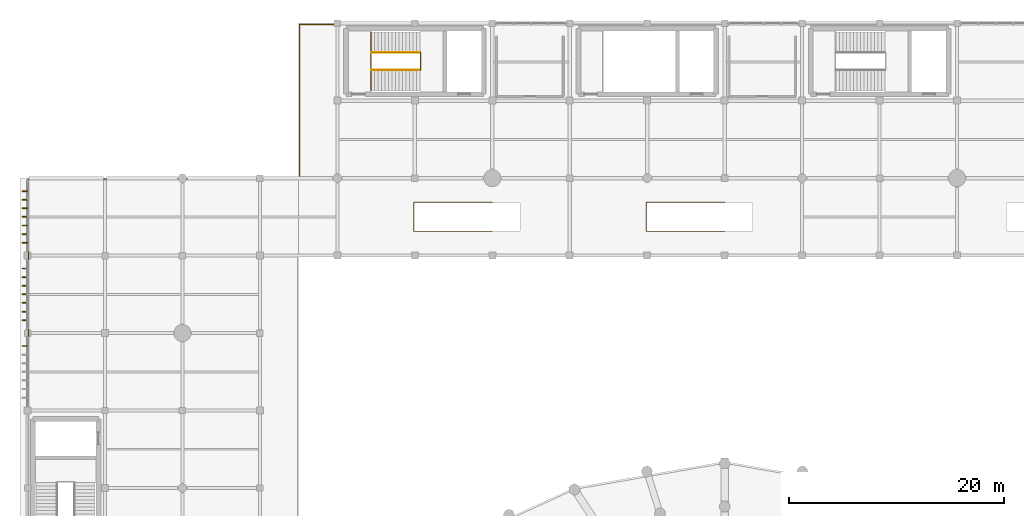
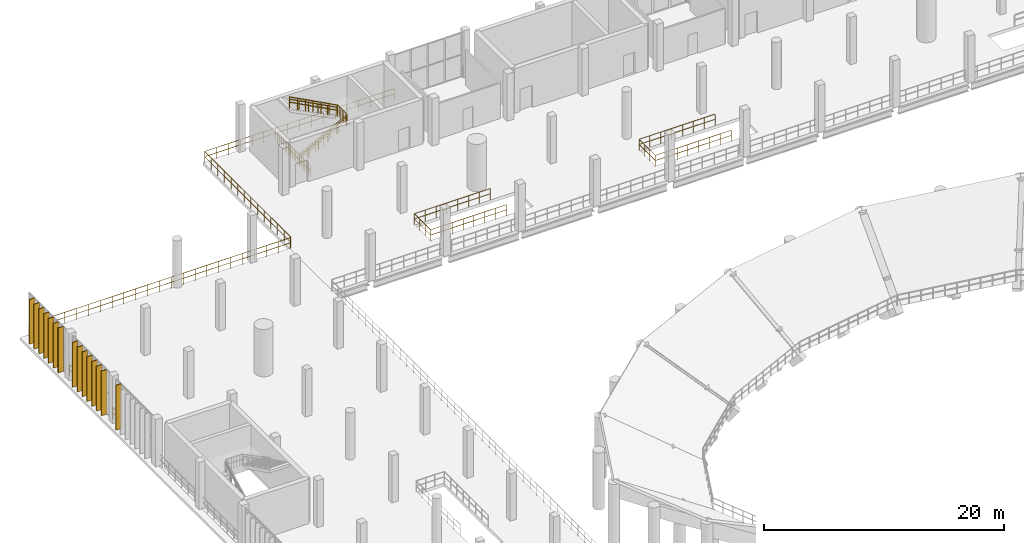
# One storey, part 99 of 105: 15 coverings, 11 railings.
"""IFC4 building model written with IfcOpenShell, lengths in metres."""

import ifcopenshell
import ifcopenshell.guid

model = None  # the IFC model being written
_history = None  # IfcOwnerHistory: only IFC2X3 demands one
_inside = {}  # id of a spatial element -> (the spatial element, [elements in it])
_under = {}  # id of a project, library or spatial element -> (it, [spatial elements below it])
_declared = {}  # id of a project -> (the project, [libraries it declares])
_typed = {}  # id of a type object -> (the type object, [elements of that type])
_made_of = {}  # id of a material, layer set ... -> (it, [elements and type objects made of it])


def new_model(schema):
    """Start an empty IFC model of exactly this schema.

    Asked for "IFC4X3", IfcOpenShell would pick the latest addendum, in which some entities
    have other attributes; the version numbers below select the first issue.
    IFC2X3 requires an IfcOwnerHistory on every rooted entity: one is made here for all.
    """
    global model, _history
    if schema == "IFC4X3":
        model = ifcopenshell.file(schema_version=(4, 3, 0, 0))
    else:
        model = ifcopenshell.file(schema=schema)
    _inside.clear()
    _under.clear()
    _declared.clear()
    _typed.clear()
    _made_of.clear()
    _history = None
    if model.schema == "IFC2X3":
        org = make("IfcOrganization", Name="unknown")
        user = make(
            "IfcPersonAndOrganization",
            ThePerson=make("IfcPerson", FamilyName="unknown"),
            TheOrganization=org,
        )
        app = make(
            "IfcApplication",
            ApplicationDeveloper=org,
            Version="unknown",
            ApplicationFullName="unknown",
            ApplicationIdentifier="unknown",
        )
        _history = make(
            "IfcOwnerHistory",
            OwningUser=user,
            OwningApplication=app,
            ChangeAction="ADDED",
            CreationDate=0,
        )
    return model


def make(cls, **values):
    """One entity of the class cls with the attributes given. An attribute that is None is left unset."""
    return model.create_entity(
        cls, **{name: value for name, value in values.items() if value is not None}
    )


def rooted(cls, **values):
    """An entity with a GlobalId (a new one), such as an element, a storey or a relation."""
    return make(cls, GlobalId=ifcopenshell.guid.new(), OwnerHistory=_history, **values)


def si_unit(unit_type, name, prefix=None):
    """IfcSIUnit, for example si_unit("LENGTHUNIT", "METRE", prefix="MILLI")."""
    return make("IfcSIUnit", UnitType=unit_type, Prefix=prefix, Name=name)


def assignment(units):
    """IfcUnitAssignment: the units of a project."""
    return None if units is None else make("IfcUnitAssignment", Units=units)


def point(xyz):
    """IfcCartesianPoint."""
    return None if xyz is None else make("IfcCartesianPoint", Coordinates=xyz)


def direction(xyz):
    """IfcDirection."""
    return None if xyz is None else make("IfcDirection", DirectionRatios=xyz)


def frame(location, z_axis=None, x_axis=None):
    """IfcAxis2Placement3D, a coordinate frame: its origin and axes. An axis left out is left unset."""
    return make(
        "IfcAxis2Placement3D",
        Location=point(location),
        Axis=direction(z_axis),
        RefDirection=direction(x_axis),
    )


def frame_2d(location, x_axis=None):
    """IfcAxis2Placement2D, a coordinate frame in the plane: its origin and x axis."""
    return make(
        "IfcAxis2Placement2D", Location=point(location), RefDirection=direction(x_axis)
    )


def origin():
    """The frame at (0, 0, 0) with its axes left unset."""
    return frame((0.0, 0.0, 0.0))


def origin_2d():
    """The frame at (0, 0) in the plane with its x axis left unset."""
    return frame_2d((0.0, 0.0))


def place(relative_to, where):
    """IfcLocalPlacement: puts the frame where relative to a parent placement (None: the world)."""
    return make(
        "IfcLocalPlacement", PlacementRelTo=relative_to, RelativePlacement=where
    )


def context(
    kind, dimensions, precision=None, world=None, true_north=None, identifier=None
):
    """IfcGeometricRepresentationContext, for example the 3D "Model" context."""
    return make(
        "IfcGeometricRepresentationContext",
        ContextIdentifier=identifier,
        ContextType=kind,
        CoordinateSpaceDimension=dimensions,
        Precision=precision,
        WorldCoordinateSystem=world,
        TrueNorth=true_north,
    )


def subcontext(parent, identifier, kind, view, scale=None):
    """IfcGeometricRepresentationSubContext, for example "Body" below "Model"."""
    return make(
        "IfcGeometricRepresentationSubContext",
        ContextIdentifier=identifier,
        ContextType=kind,
        ParentContext=parent,
        TargetScale=scale,
        TargetView=view,
    )


def project(units=None, contexts=None):
    """IfcProject with its units and contexts."""
    return rooted(
        "IfcProject",
        Name="project",
        RepresentationContexts=contexts,
        UnitsInContext=assignment(units),
    )


def spatial(cls, under=None, at=None, **own):
    """A site, building, storey or space (cls), placed at a placement, below another one or the project."""
    s = rooted(cls, ObjectPlacement=at, **own)
    if under is not None:
        _under.setdefault(under.id(), (under, []))[1].append(s)
    return s


def profile(cls, at=None, kind="AREA", **sizes):
    """A parametric profile (cls). Its sizes go by their IFC names, for example OverallWidth=200.0."""
    return make(cls, ProfileType=kind, Position=at, **sizes)


def rectangle(**sizes):
    """IfcRectangleProfileDef."""
    return profile("IfcRectangleProfileDef", **sizes)


def circle(**sizes):
    """IfcCircleProfileDef."""
    return profile("IfcCircleProfileDef", **sizes)


def extrude(swept, where, along, depth):
    """IfcExtrudedAreaSolid: the profile swept, set in the frame where, extruded along a direction by depth."""
    return make(
        "IfcExtrudedAreaSolid",
        SweptArea=swept,
        Position=where,
        ExtrudedDirection=direction(along),
        Depth=depth,
    )


def shape(context_of_items, identifier, shape_type, items):
    """IfcShapeRepresentation: the items that make up one representation, for example the "Body"."""
    return make(
        "IfcShapeRepresentation",
        ContextOfItems=context_of_items,
        RepresentationIdentifier=identifier,
        RepresentationType=shape_type,
        Items=items,
    )


def material(Name=None, Category=None):
    """IfcMaterial."""
    return make("IfcMaterial", Name=Name, Category=Category)


def layer(
    of_material, thickness, ventilated=None, Name=None, Category=None, Priority=None
):
    """IfcMaterialLayer: one layer of a wall or slab, of a material (None: an air gap)."""
    return make(
        "IfcMaterialLayer",
        Material=of_material,
        LayerThickness=thickness,
        IsVentilated=ventilated,
        Name=Name,
        Category=Category,
        Priority=Priority,
    )


def layer_set(layers, Name=None):
    """IfcMaterialLayerSet."""
    return make("IfcMaterialLayerSet", MaterialLayers=layers, LayerSetName=Name)


def made_of(thing, what):
    """Note that an element or type object is made of a material, layer set ...; save() writes the relation."""
    if what is not None:
        _made_of.setdefault(what.id(), (what, []))[1].append(thing)
    return thing


def type_object(cls, material=None, **own):
    """A type object (cls), such as IfcWallType, which elements share."""
    return made_of(rooted(cls, **own), material)


def element(
    cls,
    number,
    at=None,
    inside=None,
    cuts=None,
    type_object=None,
    material=None,
    context=None,
    identifier="Body",
    shape_type=None,
    held_by="IfcProductDefinitionShape",
    body=None,
    shapes=None,
    **own,
):
    """One element of the class cls, such as IfcWall. Its Tag is "e" and its number.

    at: its placement. inside: the storey or other place that contains it. cuts: it is an
    opening in that element (IfcRelVoidsElement). A single representation is given by context,
    identifier, shape_type and body (its items); several are given by shapes. held_by: the class
    of the entity that holds the representations. save() writes the other relations.
    """
    e = rooted(cls, Tag="e%d" % number, ObjectPlacement=at, **own)
    if body is not None:
        shapes = [shape(context, identifier, shape_type, body)]
    if shapes is not None:
        e.Representation = make(held_by, Representations=shapes)
    if inside is not None:
        _inside.setdefault(inside.id(), (inside, []))[1].append(e)
    if cuts is not None:
        rooted(
            "IfcRelVoidsElement", RelatingBuildingElement=cuts, RelatedOpeningElement=e
        )
    if type_object is not None:
        _typed.setdefault(type_object.id(), (type_object, []))[1].append(e)
    return made_of(e, material)


def aggregate(whole, parts):
    """IfcRelAggregates: a whole, such as a stair, and the parts it consists of."""
    return rooted("IfcRelAggregates", RelatingObject=whole, RelatedObjects=parts)


def save(model, path):
    """Write the relations noted so far, then the file.

    IfcRelAggregates (storeys below a building ...), IfcRelContainedInSpatialStructure (elements
    in a storey), IfcRelDefinesByType, IfcRelAssociatesMaterial and IfcRelDeclares: one each for
    every whole, place, type object, material and project.
    """
    for whole, parts in _under.values():
        aggregate(whole, parts)
    for where, things in _inside.values():
        rooted(
            "IfcRelContainedInSpatialStructure",
            RelatedElements=things,
            RelatingStructure=where,
        )
    for kind, things in _typed.values():
        rooted("IfcRelDefinesByType", RelatedObjects=things, RelatingType=kind)
    for what, things in _made_of.values():
        rooted("IfcRelAssociatesMaterial", RelatedObjects=things, RelatingMaterial=what)
    for by, libraries in _declared.values():
        rooted("IfcRelDeclares", RelatingContext=by, RelatedDefinitions=libraries)
    model.write(path)


model = new_model("IFC4")

# Units and contexts
model_context = context("Model", 3, precision=1e-05, world=origin(), true_north=direction((0.0, 1.0)))
body_context = subcontext(model_context, "Body", "Model", "MODEL_VIEW")
ifc_project = project(units=[si_unit("LENGTHUNIT", "METRE"), si_unit("AREAUNIT", "SQUARE_METRE"), si_unit("VOLUMEUNIT", "CUBIC_METRE"), si_unit("PLANEANGLEUNIT", "RADIAN"), si_unit("MASSUNIT", "GRAM", prefix="KILO")], contexts=[model_context])

# Site, building, storey
site_placement = place(None, origin())
site = spatial("IfcSite", under=ifc_project, at=site_placement, CompositionType="ELEMENT")
building_placement = place(site_placement, origin())
building = spatial("IfcBuilding", under=site, at=building_placement, Name="Qandorah Velis Arena", CompositionType="ELEMENT")
storey_placement = place(building_placement, frame((0.0, 0.0, 13.800048828125)))
storey = spatial("IfcBuildingStorey", under=building, at=storey_placement, Name="L03", CompositionType="ELEMENT", Elevation=13.800048828125)

# Coverings
ifc_material_1 = material(Name="Champagne-bronze anodized aluminium 6063-T6", Category="aluminium")
ifc_layer = layer(ifc_material_1, 0.0849609375)
ifc_layer_set = layer_set([ifc_layer], Name="Champagne-bronze anodized aluminium 6063-T6")
covering_type = type_object("IfcCoveringType", Name="ARC-COV-FIN520", PredefinedType="CLADDING", material=ifc_layer_set)
for number, where, z_axis, x_axis, name in (
    (1, (-0.251953125, 99.60009765625, -0.01025390625), (0.0, 0.0, 1.0), (1.0, 0.0, 0.0), "Vertical champagne-bronze solar fin blade WNG-W-L03-13-007"),
    (2, (-0.251953125, 102.0, -0.01025390625), (0.0, 0.0, 1.0), (1.0, 0.0, 0.0), "Vertical champagne-bronze solar fin blade WNG-W-L03-14-001"),
    (3, (-0.251953125, 102.800048828125, -0.01025390625), (0.0, 0.0, 1.0), (1.0, 0.0, 0.0), "Vertical champagne-bronze solar fin blade WNG-W-L03-14-002"),
    (4, (-0.251953125, 103.60009765625, -0.01025390625), (0.0, 0.0, 1.0), (1.0, 0.0, 0.0), "Vertical champagne-bronze solar fin blade WNG-W-L03-14-003"),
    (5, (-0.251953125, 104.39990234375, -0.01025390625), (0.0, 0.0, 1.0), (1.0, 0.0, 0.0), "Vertical champagne-bronze solar fin blade WNG-W-L03-14-004"),
    (6, (-0.251953125, 105.199951171875, -0.01025390625), (0.0, 0.0, 1.0), (1.0, 0.0, 0.0), "Vertical champagne-bronze solar fin blade WNG-W-L03-14-005"),
    (7, (-0.251953125, 106.0, -0.01025390625), (0.0, 0.0, 1.0), (1.0, 0.0, 0.0), "Vertical champagne-bronze solar fin blade WNG-W-L03-14-006"),
    (8, (-0.251953125, 106.800048828125, -0.01025390625), (0.0, 0.0, 1.0), (1.0, 0.0, 0.0), "Vertical champagne-bronze solar fin blade WNG-W-L03-14-007"),
    (9, (-0.251953125, 109.199951171875, -0.01025390625), (0.0, 0.0, 1.0), (1.0, 0.0, 0.0), "Vertical champagne-bronze solar fin blade WNG-W-L03-15-001"),
    (10, (-0.251953125, 110.0, -0.01025390625), (0.0, 0.0, 1.0), (1.0, 0.0, 0.0), "Vertical champagne-bronze solar fin blade WNG-W-L03-15-002"),
    (11, (-0.251953125, 110.800048828125, -0.01025390625), (0.0, 0.0, 1.0), (1.0, 0.0, 0.0), "Vertical champagne-bronze solar fin blade WNG-W-L03-15-003"),
    (12, (-0.251953125, 111.60009765625, -0.01025390625), (0.0, 0.0, 1.0), (1.0, 0.0, 0.0), "Vertical champagne-bronze solar fin blade WNG-W-L03-15-004"),
    (13, (-0.251953125, 112.39990234375, -0.01025390625), (0.0, 0.0, 1.0), (1.0, 0.0, 0.0), "Vertical champagne-bronze solar fin blade WNG-W-L03-15-005"),
    (14, (-0.251953125, 113.199951171875, -0.01025390625), (0.0, 0.0, 1.0), (1.0, 0.0, 0.0), "Vertical champagne-bronze solar fin blade WNG-W-L03-15-006"),
    (15, (-0.251953125, 114.0, -0.01025390625), (0.0, 0.0, 1.0), (1.0, 0.0, 0.0), "Vertical champagne-bronze solar fin blade WNG-W-L03-15-007"),
):
    element("IfcCovering", number, at=place(storey_placement, frame(where, z_axis=z_axis, x_axis=x_axis)), inside=storey, type_object=covering_type, Name=name, PredefinedType="CLADDING", context=body_context, shape_type="SweptSolid", body=[
        extrude(rectangle(XDim=0.52001953125, YDim=0.0849609375, at=origin_2d()), origin(), (0.0, 0.0, 1.0), 4.550048828125),
    ])

# Railings
ifc_material_2 = material(Name="Stainless steel 316", Category="steel")
railing_type_1 = type_object("IfcRailingType", Name="ARC-RL-GRD1150", PredefinedType="GUARDRAIL", material=ifc_material_2)
railing_1_placement = place(storey_placement, frame((31.909912109375, 123.360107421875, 0.0)))
element("IfcRailing", 16, at=railing_1_placement, inside=storey, type_object=railing_type_1, Name="Stair ST3 landing well-slot guardrail L03", PredefinedType="GUARDRAIL", context=body_context, shape_type="SweptSolid", body=[
    extrude(circle(Radius=0.02392578125, at=origin_2d()), frame((0.0, 0.0, 1.1259765625), z_axis=(0.0, 1.0, 0.0), x_axis=(-1.0, 0.0, 0.0)), (0.0, 0.0, 1.0), 5.3798828125),
    extrude(circle(Radius=0.02392578125, at=origin_2d()), frame((0.0, 0.0, 0.597900390625), z_axis=(0.0, 1.0, 0.0), x_axis=(-1.0, 0.0, 0.0)), (0.0, 0.0, 1.0), 5.3798828125),
    extrude(circle(Radius=0.02099609375, at=origin_2d()), origin(), (0.0, 0.0, 1.0), 1.101806640625),
    extrude(circle(Radius=0.02099609375, at=origin_2d()), frame((0.0, 0.298828125, 0.0)), (0.0, 0.0, 1.0), 1.101806640625),
    extrude(circle(Radius=0.02099609375, at=origin_2d()), frame((0.0, 0.59765625, 0.0)), (0.0, 0.0, 1.0), 1.101806640625),
    extrude(circle(Radius=0.02099609375, at=origin_2d()), frame((0.0, 0.896728515625, 0.0)), (0.0, 0.0, 1.0), 1.101806640625),
    extrude(circle(Radius=0.02099609375, at=origin_2d()), frame((0.0, 1.195556640625, 0.0)), (0.0, 0.0, 1.0), 1.101806640625),
    extrude(circle(Radius=0.02099609375, at=origin_2d()), frame((0.0, 1.494384765625, 0.0)), (0.0, 0.0, 1.0), 1.101806640625),
    extrude(circle(Radius=0.02099609375, at=origin_2d()), frame((0.0, 1.793212890625, 0.0)), (0.0, 0.0, 1.0), 1.101806640625),
    extrude(circle(Radius=0.02099609375, at=origin_2d()), frame((0.0, 2.09228515625, 0.0)), (0.0, 0.0, 1.0), 1.101806640625),
    extrude(circle(Radius=0.02099609375, at=origin_2d()), frame((0.0, 2.39111328125, 0.0)), (0.0, 0.0, 1.0), 1.101806640625),
    extrude(circle(Radius=0.02099609375, at=origin_2d()), frame((0.0, 2.68994140625, 0.0)), (0.0, 0.0, 1.0), 1.101806640625),
    extrude(circle(Radius=0.02099609375, at=origin_2d()), frame((0.0, 2.98876953125, 0.0)), (0.0, 0.0, 1.0), 1.101806640625),
    extrude(circle(Radius=0.02099609375, at=origin_2d()), frame((0.0, 3.28759765625, 0.0)), (0.0, 0.0, 1.0), 1.101806640625),
    extrude(circle(Radius=0.02099609375, at=origin_2d()), frame((0.0, 3.586669921875, 0.0)), (0.0, 0.0, 1.0), 1.101806640625),
    extrude(circle(Radius=0.02099609375, at=origin_2d()), frame((0.0, 3.885498046875, 0.0)), (0.0, 0.0, 1.0), 1.101806640625),
    extrude(circle(Radius=0.02099609375, at=origin_2d()), frame((0.0, 4.184326171875, 0.0)), (0.0, 0.0, 1.0), 1.101806640625),
    extrude(circle(Radius=0.02099609375, at=origin_2d()), frame((0.0, 4.483154296875, 0.0)), (0.0, 0.0, 1.0), 1.101806640625),
    extrude(circle(Radius=0.02099609375, at=origin_2d()), frame((0.0, 4.7822265625, 0.0)), (0.0, 0.0, 1.0), 1.101806640625),
    extrude(circle(Radius=0.02099609375, at=origin_2d()), frame((0.0, 5.0810546875, 0.0)), (0.0, 0.0, 1.0), 1.101806640625),
    extrude(circle(Radius=0.02099609375, at=origin_2d()), frame((0.0, 5.3798828125, 0.0)), (0.0, 0.0, 1.0), 1.101806640625),
])
railing_2_placement = place(storey_placement, frame((36.5458984375, 125.239990234375, 2.39990234375)))
element("IfcRailing", 17, at=railing_2_placement, inside=storey, type_object=railing_type_1, Name="Stair ST3 well guardrail (L03)", PredefinedType="GUARDRAIL", context=body_context, shape_type="SweptSolid", body=[
    extrude(circle(Radius=0.02392578125, at=origin_2d()), frame((0.0, 0.0, 1.1259765625), z_axis=(0.0, 1.0, 0.0), x_axis=(-1.0, 0.0, 0.0)), (0.0, 0.0, 1.0), 1.6201171875),
    extrude(circle(Radius=0.02392578125, at=origin_2d()), frame((0.0, 0.0, 0.597900390625), z_axis=(0.0, 1.0, 0.0), x_axis=(-1.0, 0.0, 0.0)), (0.0, 0.0, 1.0), 1.6201171875),
    extrude(circle(Radius=0.02099609375, at=origin_2d()), origin(), (0.0, 0.0, 1.0), 1.101806640625),
    extrude(circle(Radius=0.02099609375, at=origin_2d()), frame((0.0, 0.27001953125, 0.0)), (0.0, 0.0, 1.0), 1.101806640625),
    extrude(circle(Radius=0.02099609375, at=origin_2d()), frame((0.0, 0.5400390625, 0.0)), (0.0, 0.0, 1.0), 1.101806640625),
    extrude(circle(Radius=0.02099609375, at=origin_2d()), frame((0.0, 0.81005859375, 0.0)), (0.0, 0.0, 1.0), 1.101806640625),
    extrude(circle(Radius=0.02099609375, at=origin_2d()), frame((0.0, 1.080078125, 0.0)), (0.0, 0.0, 1.0), 1.101806640625),
    extrude(circle(Radius=0.02099609375, at=origin_2d()), frame((0.0, 1.35009765625, 0.0)), (0.0, 0.0, 1.0), 1.101806640625),
    extrude(circle(Radius=0.02099609375, at=origin_2d()), frame((0.0, 1.6201171875, 0.0)), (0.0, 0.0, 1.0), 1.101806640625),
])
railing_3_placement = place(storey_placement, frame((31.949951171875, 125.22998046875, 0.0)))
element("IfcRailing", 18, at=railing_3_placement, inside=storey, type_object=railing_type_1, Name="Stair ST3 inner flight 1 guardrail (L03)", PredefinedType="GUARDRAIL", context=body_context, shape_type="SweptSolid", body=[
    extrude(circle(Radius=0.02392578125, at=origin_2d()), frame((0.0, 0.0, 1.1259765625), z_axis=(0.883915174832, 0.0, 0.467647264187), x_axis=(0.0, 1.0, 0.0)), (0.0, 0.0, 1.0), 5.1318359375),
    extrude(circle(Radius=0.02392578125, at=origin_2d()), frame((0.0, 0.0, 0.597900390625), z_axis=(0.883915174832, 0.0, 0.467647264187), x_axis=(0.0, 1.0, 0.0)), (0.0, 0.0, 1.0), 5.1318359375),
    extrude(circle(Radius=0.02099609375, at=origin_2d()), origin(), (0.0, 0.0, 1.0), 1.101806640625),
    extrude(circle(Radius=0.02099609375, at=origin_2d()), frame((0.756103515625, 0.0, 0.39990234375)), (0.0, 0.0, 1.0), 1.101806640625),
    extrude(circle(Radius=0.02099609375, at=origin_2d()), frame((1.511962890625, 0.0, 0.800048828125)), (0.0, 0.0, 1.0), 1.101806640625),
    extrude(circle(Radius=0.02099609375, at=origin_2d()), frame((2.26806640625, 0.0, 1.199951171875)), (0.0, 0.0, 1.0), 1.101806640625),
    extrude(circle(Radius=0.02099609375, at=origin_2d()), frame((3.024169921875, 0.0, 1.599853515625)), (0.0, 0.0, 1.0), 1.101806640625),
    extrude(circle(Radius=0.02099609375, at=origin_2d()), frame((3.780029296875, 0.0, 2.0)), (0.0, 0.0, 1.0), 1.101806640625),
    extrude(circle(Radius=0.02099609375, at=origin_2d()), frame((4.5361328125, 0.0, 2.39990234375)), (0.0, 0.0, 1.0), 1.101806640625),
])
railing_4_placement = place(storey_placement, frame((36.486083984375, 126.8701171875, 2.39990234375)))
element("IfcRailing", 19, at=railing_4_placement, inside=storey, type_object=railing_type_1, Name="Stair ST3 inner flight 2 guardrail (L03)", PredefinedType="GUARDRAIL", context=body_context, shape_type="SweptSolid", body=[
    extrude(circle(Radius=0.02392578125, at=origin_2d()), frame((0.0, 0.0, 1.1259765625), z_axis=(-0.883895509492, 0.0, 0.46768443239), x_axis=(0.0, -1.0, 0.0)), (0.0, 0.0, 1.0), 5.132080078125),
    extrude(circle(Radius=0.02392578125, at=origin_2d()), frame((0.0, 0.0, 0.597900390625), z_axis=(-0.883895509492, 0.0, 0.46768443239), x_axis=(0.0, -1.0, 0.0)), (0.0, 0.0, 1.0), 5.132080078125),
    extrude(circle(Radius=0.02099609375, at=origin_2d()), origin(), (0.0, 0.0, 1.0), 1.101806640625),
    extrude(circle(Radius=0.02099609375, at=origin_2d()), frame((-0.756103515625, 0.0, 0.39990234375)), (0.0, 0.0, 1.0), 1.101806640625),
    extrude(circle(Radius=0.02099609375, at=origin_2d()), frame((-1.511962890625, 0.0, 0.800048828125)), (0.0, 0.0, 1.0), 1.101806640625),
    extrude(circle(Radius=0.02099609375, at=origin_2d()), frame((-2.26806640625, 0.0, 1.2001953125)), (0.0, 0.0, 1.0), 1.101806640625),
    extrude(circle(Radius=0.02099609375, at=origin_2d()), frame((-3.024169921875, 0.0, 1.60009765625)), (0.0, 0.0, 1.0), 1.101806640625),
    extrude(circle(Radius=0.02099609375, at=origin_2d()), frame((-3.780029296875, 0.0, 2.0)), (0.0, 0.0, 1.0), 1.101806640625),
    extrude(circle(Radius=0.02099609375, at=origin_2d()), frame((-4.5361328125, 0.0, 2.400146484375)), (0.0, 0.0, 1.0), 1.101806640625),
])
railing_5_placement = place(storey_placement, frame((43.199951171875, 112.949951171875, 0.0)))
element("IfcRailing", 20, at=railing_5_placement, inside=storey, type_object=railing_type_1, Name="Vomitory VS12 top well guardrail (L03)", PredefinedType="GUARDRAIL", context=body_context, shape_type="SweptSolid", body=[
    extrude(circle(Radius=0.02392578125, at=origin_2d()), frame((0.0, 0.0, 1.1259765625), z_axis=(-1.0, 0.0, 0.0), x_axis=(0.0, -1.0, 0.0)), (0.0, 0.0, 1.0), 7.300048828125),
    extrude(circle(Radius=0.02392578125, at=origin_2d()), frame((0.0, 0.0, 0.597900390625), z_axis=(-1.0, 0.0, 0.0), x_axis=(0.0, -1.0, 0.0)), (0.0, 0.0, 1.0), 7.300048828125),
    extrude(circle(Radius=0.02392578125, at=origin_2d()), frame((-7.300048828125, 0.0, 1.1259765625), z_axis=(0.0, -1.0, 0.0), x_axis=(1.0, 0.0, 0.0)), (0.0, 0.0, 1.0), 2.699951171875),
    extrude(circle(Radius=0.02392578125, at=origin_2d()), frame((-7.300048828125, 0.0, 0.597900390625), z_axis=(0.0, -1.0, 0.0), x_axis=(1.0, 0.0, 0.0)), (0.0, 0.0, 1.0), 2.699951171875),
    extrude(circle(Radius=0.02392578125, at=origin_2d()), frame((-7.300048828125, -2.699951171875, 1.1259765625), z_axis=(1.0, 0.0, 0.0), x_axis=(0.0, 1.0, 0.0)), (0.0, 0.0, 1.0), 7.300048828125),
    extrude(circle(Radius=0.02392578125, at=origin_2d()), frame((-7.300048828125, -2.699951171875, 0.597900390625), z_axis=(1.0, 0.0, 0.0), x_axis=(0.0, 1.0, 0.0)), (0.0, 0.0, 1.0), 7.300048828125),
    extrude(circle(Radius=0.02099609375, at=origin_2d()), origin(), (0.0, 0.0, 1.0), 1.101806640625),
    extrude(circle(Radius=0.02099609375, at=origin_2d()), frame((-1.04296875, 0.0, 0.0)), (0.0, 0.0, 1.0), 1.101806640625),
    extrude(circle(Radius=0.02099609375, at=origin_2d()), frame((-2.085693359375, 0.0, 0.0)), (0.0, 0.0, 1.0), 1.101806640625),
    extrude(circle(Radius=0.02099609375, at=origin_2d()), frame((-3.128662109375, 0.0, 0.0)), (0.0, 0.0, 1.0), 1.101806640625),
    extrude(circle(Radius=0.02099609375, at=origin_2d()), frame((-4.17138671875, 0.0, 0.0)), (0.0, 0.0, 1.0), 1.101806640625),
    extrude(circle(Radius=0.02099609375, at=origin_2d()), frame((-5.21435546875, 0.0, 0.0)), (0.0, 0.0, 1.0), 1.101806640625),
    extrude(circle(Radius=0.02099609375, at=origin_2d()), frame((-6.257080078125, 0.0, 0.0)), (0.0, 0.0, 1.0), 1.101806640625),
    extrude(circle(Radius=0.02099609375, at=origin_2d()), frame((-7.300048828125, 0.0, 0.0)), (0.0, 0.0, 1.0), 1.101806640625),
    extrude(circle(Radius=0.02099609375, at=origin_2d()), frame((-7.300048828125, -0.89990234375, 0.0)), (0.0, 0.0, 1.0), 1.101806640625),
    extrude(circle(Radius=0.02099609375, at=origin_2d()), frame((-7.300048828125, -1.800048828125, 0.0)), (0.0, 0.0, 1.0), 1.101806640625),
    extrude(circle(Radius=0.02099609375, at=origin_2d()), frame((-7.300048828125, -2.699951171875, 0.0)), (0.0, 0.0, 1.0), 1.101806640625),
    extrude(circle(Radius=0.02099609375, at=origin_2d()), frame((-6.257080078125, -2.699951171875, 0.0)), (0.0, 0.0, 1.0), 1.101806640625),
    extrude(circle(Radius=0.02099609375, at=origin_2d()), frame((-5.21435546875, -2.699951171875, 0.0)), (0.0, 0.0, 1.0), 1.101806640625),
    extrude(circle(Radius=0.02099609375, at=origin_2d()), frame((-4.17138671875, -2.699951171875, 0.0)), (0.0, 0.0, 1.0), 1.101806640625),
    extrude(circle(Radius=0.02099609375, at=origin_2d()), frame((-3.128662109375, -2.699951171875, 0.0)), (0.0, 0.0, 1.0), 1.101806640625),
    extrude(circle(Radius=0.02099609375, at=origin_2d()), frame((-2.085693359375, -2.699951171875, 0.0)), (0.0, 0.0, 1.0), 1.101806640625),
    extrude(circle(Radius=0.02099609375, at=origin_2d()), frame((-1.04296875, -2.699951171875, 0.0)), (0.0, 0.0, 1.0), 1.101806640625),
    extrude(circle(Radius=0.02099609375, at=origin_2d()), frame((0.0, -2.699951171875, 0.0)), (0.0, 0.0, 1.0), 1.101806640625),
])
railing_6_placement = place(storey_placement, frame((64.800048828125, 112.949951171875, 0.0)))
element("IfcRailing", 21, at=railing_6_placement, inside=storey, type_object=railing_type_1, Name="Vomitory VS13 top well guardrail (L03)", PredefinedType="GUARDRAIL", context=body_context, shape_type="SweptSolid", body=[
    extrude(circle(Radius=0.02392578125, at=origin_2d()), frame((0.0, 0.0, 1.1259765625), z_axis=(-1.0, 0.0, 0.0), x_axis=(0.0, -1.0, 0.0)), (0.0, 0.0, 1.0), 7.300048828125),
    extrude(circle(Radius=0.02392578125, at=origin_2d()), frame((0.0, 0.0, 0.597900390625), z_axis=(-1.0, 0.0, 0.0), x_axis=(0.0, -1.0, 0.0)), (0.0, 0.0, 1.0), 7.300048828125),
    extrude(circle(Radius=0.02392578125, at=origin_2d()), frame((-7.300048828125, 0.0, 1.1259765625), z_axis=(0.0, -1.0, 0.0), x_axis=(1.0, 0.0, 0.0)), (0.0, 0.0, 1.0), 2.699951171875),
    extrude(circle(Radius=0.02392578125, at=origin_2d()), frame((-7.300048828125, 0.0, 0.597900390625), z_axis=(0.0, -1.0, 0.0), x_axis=(1.0, 0.0, 0.0)), (0.0, 0.0, 1.0), 2.699951171875),
    extrude(circle(Radius=0.02392578125, at=origin_2d()), frame((-7.300048828125, -2.699951171875, 1.1259765625), z_axis=(1.0, 0.0, 0.0), x_axis=(0.0, 1.0, 0.0)), (0.0, 0.0, 1.0), 7.300048828125),
    extrude(circle(Radius=0.02392578125, at=origin_2d()), frame((-7.300048828125, -2.699951171875, 0.597900390625), z_axis=(1.0, 0.0, 0.0), x_axis=(0.0, 1.0, 0.0)), (0.0, 0.0, 1.0), 7.300048828125),
    extrude(circle(Radius=0.02099609375, at=origin_2d()), origin(), (0.0, 0.0, 1.0), 1.101806640625),
    extrude(circle(Radius=0.02099609375, at=origin_2d()), frame((-1.04296875, 0.0, 0.0)), (0.0, 0.0, 1.0), 1.101806640625),
    extrude(circle(Radius=0.02099609375, at=origin_2d()), frame((-2.085693359375, 0.0, 0.0)), (0.0, 0.0, 1.0), 1.101806640625),
    extrude(circle(Radius=0.02099609375, at=origin_2d()), frame((-3.128662109375, 0.0, 0.0)), (0.0, 0.0, 1.0), 1.101806640625),
    extrude(circle(Radius=0.02099609375, at=origin_2d()), frame((-4.17138671875, 0.0, 0.0)), (0.0, 0.0, 1.0), 1.101806640625),
    extrude(circle(Radius=0.02099609375, at=origin_2d()), frame((-5.21435546875, 0.0, 0.0)), (0.0, 0.0, 1.0), 1.101806640625),
    extrude(circle(Radius=0.02099609375, at=origin_2d()), frame((-6.257080078125, 0.0, 0.0)), (0.0, 0.0, 1.0), 1.101806640625),
    extrude(circle(Radius=0.02099609375, at=origin_2d()), frame((-7.300048828125, 0.0, 0.0)), (0.0, 0.0, 1.0), 1.101806640625),
    extrude(circle(Radius=0.02099609375, at=origin_2d()), frame((-7.300048828125, -0.89990234375, 0.0)), (0.0, 0.0, 1.0), 1.101806640625),
    extrude(circle(Radius=0.02099609375, at=origin_2d()), frame((-7.300048828125, -1.800048828125, 0.0)), (0.0, 0.0, 1.0), 1.101806640625),
    extrude(circle(Radius=0.02099609375, at=origin_2d()), frame((-7.300048828125, -2.699951171875, 0.0)), (0.0, 0.0, 1.0), 1.101806640625),
    extrude(circle(Radius=0.02099609375, at=origin_2d()), frame((-6.257080078125, -2.699951171875, 0.0)), (0.0, 0.0, 1.0), 1.101806640625),
    extrude(circle(Radius=0.02099609375, at=origin_2d()), frame((-5.21435546875, -2.699951171875, 0.0)), (0.0, 0.0, 1.0), 1.101806640625),
    extrude(circle(Radius=0.02099609375, at=origin_2d()), frame((-4.17138671875, -2.699951171875, 0.0)), (0.0, 0.0, 1.0), 1.101806640625),
    extrude(circle(Radius=0.02099609375, at=origin_2d()), frame((-3.128662109375, -2.699951171875, 0.0)), (0.0, 0.0, 1.0), 1.101806640625),
    extrude(circle(Radius=0.02099609375, at=origin_2d()), frame((-2.085693359375, -2.699951171875, 0.0)), (0.0, 0.0, 1.0), 1.101806640625),
    extrude(circle(Radius=0.02099609375, at=origin_2d()), frame((-1.04296875, -2.699951171875, 0.0)), (0.0, 0.0, 1.0), 1.101806640625),
    extrude(circle(Radius=0.02099609375, at=origin_2d()), frame((0.0, -2.699951171875, 0.0)), (0.0, 0.0, 1.0), 1.101806640625),
])
railing_7_placement = place(storey_placement, frame((0.10009765625, 100.47509765625, 0.0)))
element("IfcRailing", 22, at=railing_7_placement, inside=storey, type_object=railing_type_1, Name="Slab edge safety guardrail L03-179", PredefinedType="GUARDRAIL", context=body_context, shape_type="SweptSolid", body=[
    extrude(circle(Radius=0.02392578125, at=origin_2d()), frame((0.0, 0.0, 1.1259765625), z_axis=(0.0, 1.0, 0.0), x_axis=(-1.0, 0.0, 0.0)), (0.0, 0.0, 1.0), 0.64990234375),
    extrude(circle(Radius=0.02392578125, at=origin_2d()), frame((0.0, 0.0, 0.597900390625), z_axis=(0.0, 1.0, 0.0), x_axis=(-1.0, 0.0, 0.0)), (0.0, 0.0, 1.0), 0.64990234375),
    extrude(circle(Radius=0.02099609375, at=origin_2d()), origin(), (0.0, 0.0, 1.0), 1.101806640625),
    extrude(circle(Radius=0.02099609375, at=origin_2d()), frame((0.0, 0.64990234375, 0.0)), (0.0, 0.0, 1.0), 1.101806640625),
])
railing_8_placement = place(storey_placement, frame((0.10009765625, 107.64990234375, 0.0)))
element("IfcRailing", 23, at=railing_8_placement, inside=storey, type_object=railing_type_1, Name="Slab edge safety guardrail L03-180", PredefinedType="GUARDRAIL", context=body_context, shape_type="SweptSolid", body=[
    extrude(circle(Radius=0.02392578125, at=origin_2d()), frame((0.0, 0.0, 1.1259765625), z_axis=(0.0, 1.0, 0.0), x_axis=(-1.0, 0.0, 0.0)), (0.0, 0.0, 1.0), 0.7001953125),
    extrude(circle(Radius=0.02392578125, at=origin_2d()), frame((0.0, 0.0, 0.597900390625), z_axis=(0.0, 1.0, 0.0), x_axis=(-1.0, 0.0, 0.0)), (0.0, 0.0, 1.0), 0.7001953125),
    extrude(circle(Radius=0.02099609375, at=origin_2d()), origin(), (0.0, 0.0, 1.0), 1.101806640625),
    extrude(circle(Radius=0.02099609375, at=origin_2d()), frame((0.0, 0.7001953125, 0.0)), (0.0, 0.0, 1.0), 1.101806640625),
])
railing_9_placement = place(storey_placement, frame((0.10009765625, 114.89990234375, 0.0)))
element("IfcRailing", 24, at=railing_9_placement, inside=storey, type_object=railing_type_1, Name="Slab edge safety guardrail L03-181", PredefinedType="GUARDRAIL", context=body_context, shape_type="SweptSolid", body=[
    extrude(circle(Radius=0.02392578125, at=origin_2d()), frame((0.0, 0.0, 1.1259765625), z_axis=(0.0, 1.0, 0.0), x_axis=(-1.0, 0.0, 0.0)), (0.0, 0.0, 1.0), 0.2001953125),
    extrude(circle(Radius=0.02392578125, at=origin_2d()), frame((0.0, 0.0, 0.597900390625), z_axis=(0.0, 1.0, 0.0), x_axis=(-1.0, 0.0, 0.0)), (0.0, 0.0, 1.0), 0.2001953125),
    extrude(circle(Radius=0.02392578125, at=origin_2d()), frame((0.0, 0.2001953125, 1.1259765625), z_axis=(1.0, 0.0, 0.0), x_axis=(0.0, 1.0, 0.0)), (0.0, 0.0, 1.0), 25.099853515625),
    extrude(circle(Radius=0.02392578125, at=origin_2d()), frame((0.0, 0.2001953125, 0.597900390625), z_axis=(1.0, 0.0, 0.0), x_axis=(0.0, 1.0, 0.0)), (0.0, 0.0, 1.0), 25.099853515625),
    extrude(circle(Radius=0.02392578125, at=origin_2d()), frame((25.099853515625, 0.2001953125, 1.1259765625), z_axis=(0.773871522392, 0.633342614097, 0.0), x_axis=(-0.633342614097, 0.773871522392, 0.0)), (0.0, 0.0, 1.0), 0.126708984375),
    extrude(circle(Radius=0.02392578125, at=origin_2d()), frame((25.099853515625, 0.2001953125, 0.597900390625), z_axis=(0.773871522392, 0.633342614097, 0.0), x_axis=(-0.633342614097, 0.773871522392, 0.0)), (0.0, 0.0, 1.0), 0.126708984375),
    extrude(circle(Radius=0.02392578125, at=origin_2d()), frame((25.197998046875, 0.280517578125, 1.1259765625), z_axis=(0.000136395409, 0.999999990698, 0.0), x_axis=(-0.999999990698, 0.000136395409, 0.0)), (0.0, 0.0, 1.0), 14.319580078125),
    extrude(circle(Radius=0.02392578125, at=origin_2d()), frame((25.197998046875, 0.280517578125, 0.597900390625), z_axis=(0.000136395409, 0.999999990698, 0.0), x_axis=(-0.999999990698, 0.000136395409, 0.0)), (0.0, 0.0, 1.0), 14.319580078125),
    extrude(circle(Radius=0.02392578125, at=origin_2d()), frame((25.199951171875, 14.60009765625, 1.1259765625), z_axis=(1.0, 0.0, 0.0), x_axis=(0.0, 1.0, 0.0)), (0.0, 0.0, 1.0), 18.224853515625),
    extrude(circle(Radius=0.02392578125, at=origin_2d()), frame((25.199951171875, 14.60009765625, 0.597900390625), z_axis=(1.0, 0.0, 0.0), x_axis=(0.0, 1.0, 0.0)), (0.0, 0.0, 1.0), 18.224853515625),
    extrude(circle(Radius=0.02099609375, at=origin_2d()), origin(), (0.0, 0.0, 1.0), 1.101806640625),
    extrude(circle(Radius=0.02099609375, at=origin_2d()), frame((0.0, 0.2001953125, 0.0)), (0.0, 0.0, 1.0), 1.101806640625),
    extrude(circle(Radius=0.02099609375, at=origin_2d()), frame((1.140869140625, 0.2001953125, 0.0)), (0.0, 0.0, 1.0), 1.101806640625),
    extrude(circle(Radius=0.02099609375, at=origin_2d()), frame((2.28173828125, 0.2001953125, 0.0)), (0.0, 0.0, 1.0), 1.101806640625),
    extrude(circle(Radius=0.02099609375, at=origin_2d()), frame((3.422607421875, 0.2001953125, 0.0)), (0.0, 0.0, 1.0), 1.101806640625),
    extrude(circle(Radius=0.02099609375, at=origin_2d()), frame((4.563720703125, 0.2001953125, 0.0)), (0.0, 0.0, 1.0), 1.101806640625),
    extrude(circle(Radius=0.02099609375, at=origin_2d()), frame((5.70458984375, 0.2001953125, 0.0)), (0.0, 0.0, 1.0), 1.101806640625),
    extrude(circle(Radius=0.02099609375, at=origin_2d()), frame((6.845458984375, 0.2001953125, 0.0)), (0.0, 0.0, 1.0), 1.101806640625),
    extrude(circle(Radius=0.02099609375, at=origin_2d()), frame((7.986328125, 0.2001953125, 0.0)), (0.0, 0.0, 1.0), 1.101806640625),
    extrude(circle(Radius=0.02099609375, at=origin_2d()), frame((9.127197265625, 0.2001953125, 0.0)), (0.0, 0.0, 1.0), 1.101806640625),
    extrude(circle(Radius=0.02099609375, at=origin_2d()), frame((10.26806640625, 0.2001953125, 0.0)), (0.0, 0.0, 1.0), 1.101806640625),
    extrude(circle(Radius=0.02099609375, at=origin_2d()), frame((11.408935546875, 0.2001953125, 0.0)), (0.0, 0.0, 1.0), 1.101806640625),
    extrude(circle(Radius=0.02099609375, at=origin_2d()), frame((12.5498046875, 0.2001953125, 0.0)), (0.0, 0.0, 1.0), 1.101806640625),
    extrude(circle(Radius=0.02099609375, at=origin_2d()), frame((13.69091796875, 0.2001953125, 0.0)), (0.0, 0.0, 1.0), 1.101806640625),
    extrude(circle(Radius=0.02099609375, at=origin_2d()), frame((14.831787109375, 0.2001953125, 0.0)), (0.0, 0.0, 1.0), 1.101806640625),
    extrude(circle(Radius=0.02099609375, at=origin_2d()), frame((15.97265625, 0.2001953125, 0.0)), (0.0, 0.0, 1.0), 1.101806640625),
    extrude(circle(Radius=0.02099609375, at=origin_2d()), frame((17.113525390625, 0.2001953125, 0.0)), (0.0, 0.0, 1.0), 1.101806640625),
    extrude(circle(Radius=0.02099609375, at=origin_2d()), frame((18.25439453125, 0.2001953125, 0.0)), (0.0, 0.0, 1.0), 1.101806640625),
    extrude(circle(Radius=0.02099609375, at=origin_2d()), frame((19.395263671875, 0.2001953125, 0.0)), (0.0, 0.0, 1.0), 1.101806640625),
    extrude(circle(Radius=0.02099609375, at=origin_2d()), frame((20.5361328125, 0.2001953125, 0.0)), (0.0, 0.0, 1.0), 1.101806640625),
    extrude(circle(Radius=0.02099609375, at=origin_2d()), frame((21.67724609375, 0.2001953125, 0.0)), (0.0, 0.0, 1.0), 1.101806640625),
    extrude(circle(Radius=0.02099609375, at=origin_2d()), frame((22.818115234375, 0.2001953125, 0.0)), (0.0, 0.0, 1.0), 1.101806640625),
    extrude(circle(Radius=0.02099609375, at=origin_2d()), frame((23.958984375, 0.2001953125, 0.0)), (0.0, 0.0, 1.0), 1.101806640625),
    extrude(circle(Radius=0.02099609375, at=origin_2d()), frame((25.099853515625, 0.2001953125, 0.0)), (0.0, 0.0, 1.0), 1.101806640625),
    extrude(circle(Radius=0.02099609375, at=origin_2d()), frame((25.197998046875, 0.280517578125, 0.0)), (0.0, 0.0, 1.0), 1.101806640625),
    extrude(circle(Radius=0.02099609375, at=origin_2d()), frame((25.1982421875, 1.382080078125, 0.0)), (0.0, 0.0, 1.0), 1.101806640625),
    extrude(circle(Radius=0.02099609375, at=origin_2d()), frame((25.1982421875, 2.483642578125, 0.0)), (0.0, 0.0, 1.0), 1.101806640625),
    extrude(circle(Radius=0.02099609375, at=origin_2d()), frame((25.198486328125, 3.5849609375, 0.0)), (0.0, 0.0, 1.0), 1.101806640625),
    extrude(circle(Radius=0.02099609375, at=origin_2d()), frame((25.198486328125, 4.6865234375, 0.0)), (0.0, 0.0, 1.0), 1.101806640625),
    extrude(circle(Radius=0.02099609375, at=origin_2d()), frame((25.19873046875, 5.7880859375, 0.0)), (0.0, 0.0, 1.0), 1.101806640625),
    extrude(circle(Radius=0.02099609375, at=origin_2d()), frame((25.198974609375, 6.8896484375, 0.0)), (0.0, 0.0, 1.0), 1.101806640625),
    extrude(circle(Radius=0.02099609375, at=origin_2d()), frame((25.198974609375, 7.990966796875, 0.0)), (0.0, 0.0, 1.0), 1.101806640625),
    extrude(circle(Radius=0.02099609375, at=origin_2d()), frame((25.19921875, 9.092529296875, 0.0)), (0.0, 0.0, 1.0), 1.101806640625),
    extrude(circle(Radius=0.02099609375, at=origin_2d()), frame((25.199462890625, 10.194091796875, 0.0)), (0.0, 0.0, 1.0), 1.101806640625),
    extrude(circle(Radius=0.02099609375, at=origin_2d()), frame((25.199462890625, 11.295654296875, 0.0)), (0.0, 0.0, 1.0), 1.101806640625),
    extrude(circle(Radius=0.02099609375, at=origin_2d()), frame((25.19970703125, 12.39697265625, 0.0)), (0.0, 0.0, 1.0), 1.101806640625),
    extrude(circle(Radius=0.02099609375, at=origin_2d()), frame((25.19970703125, 13.49853515625, 0.0)), (0.0, 0.0, 1.0), 1.101806640625),
    extrude(circle(Radius=0.02099609375, at=origin_2d()), frame((25.199951171875, 14.60009765625, 0.0)), (0.0, 0.0, 1.0), 1.101806640625),
    extrude(circle(Radius=0.02099609375, at=origin_2d()), frame((26.339111328125, 14.60009765625, 0.0)), (0.0, 0.0, 1.0), 1.101806640625),
    extrude(circle(Radius=0.02099609375, at=origin_2d()), frame((27.47802734375, 14.60009765625, 0.0)), (0.0, 0.0, 1.0), 1.101806640625),
    extrude(circle(Radius=0.02099609375, at=origin_2d()), frame((28.6171875, 14.60009765625, 0.0)), (0.0, 0.0, 1.0), 1.101806640625),
    extrude(circle(Radius=0.02099609375, at=origin_2d()), frame((29.756103515625, 14.60009765625, 0.0)), (0.0, 0.0, 1.0), 1.101806640625),
    extrude(circle(Radius=0.02099609375, at=origin_2d()), frame((30.895263671875, 14.60009765625, 0.0)), (0.0, 0.0, 1.0), 1.101806640625),
    extrude(circle(Radius=0.02099609375, at=origin_2d()), frame((32.0341796875, 14.60009765625, 0.0)), (0.0, 0.0, 1.0), 1.101806640625),
    extrude(circle(Radius=0.02099609375, at=origin_2d()), frame((33.17333984375, 14.60009765625, 0.0)), (0.0, 0.0, 1.0), 1.101806640625),
    extrude(circle(Radius=0.02099609375, at=origin_2d()), frame((34.3125, 14.60009765625, 0.0)), (0.0, 0.0, 1.0), 1.101806640625),
    extrude(circle(Radius=0.02099609375, at=origin_2d()), frame((35.451416015625, 14.60009765625, 0.0)), (0.0, 0.0, 1.0), 1.101806640625),
    extrude(circle(Radius=0.02099609375, at=origin_2d()), frame((36.590576171875, 14.60009765625, 0.0)), (0.0, 0.0, 1.0), 1.101806640625),
    extrude(circle(Radius=0.02099609375, at=origin_2d()), frame((37.7294921875, 14.60009765625, 0.0)), (0.0, 0.0, 1.0), 1.101806640625),
    extrude(circle(Radius=0.02099609375, at=origin_2d()), frame((38.86865234375, 14.60009765625, 0.0)), (0.0, 0.0, 1.0), 1.101806640625),
    extrude(circle(Radius=0.02099609375, at=origin_2d()), frame((40.007568359375, 14.60009765625, 0.0)), (0.0, 0.0, 1.0), 1.101806640625),
    extrude(circle(Radius=0.02099609375, at=origin_2d()), frame((41.146728515625, 14.60009765625, 0.0)), (0.0, 0.0, 1.0), 1.101806640625),
    extrude(circle(Radius=0.02099609375, at=origin_2d()), frame((42.28564453125, 14.60009765625, 0.0)), (0.0, 0.0, 1.0), 1.101806640625),
    extrude(circle(Radius=0.02099609375, at=origin_2d()), frame((43.4248046875, 14.60009765625, 0.0)), (0.0, 0.0, 1.0), 1.101806640625),
])
railing_type_2 = type_object("IfcRailingType", Name="ARC-RL-HND920", PredefinedType="HANDRAIL", material=ifc_material_2)
railing_10_placement = place(storey_placement, frame((31.949951171875, 125.22998046875, 0.0)))
element("IfcRailing", 25, at=railing_10_placement, inside=storey, type_object=railing_type_2, Name="Stair ST3 inner handrail 1 (L03)", PredefinedType="HANDRAIL", context=body_context, shape_type="SweptSolid", body=[
    extrude(circle(Radius=0.02392578125, at=origin_2d()), frame((0.0, 0.0, 0.89599609375), z_axis=(0.883915174832, 0.0, 0.467647264187), x_axis=(0.0, 1.0, 0.0)), (0.0, 0.0, 1.0), 5.1318359375),
    extrude(circle(Radius=0.02099609375, at=origin_2d()), origin(), (0.0, 0.0, 1.0), 0.871826171875),
    extrude(circle(Radius=0.02099609375, at=origin_2d()), frame((0.9072265625, 0.0, 0.47998046875)), (0.0, 0.0, 1.0), 0.871826171875),
    extrude(circle(Radius=0.02099609375, at=origin_2d()), frame((1.814453125, 0.0, 0.9599609375)), (0.0, 0.0, 1.0), 0.871826171875),
    extrude(circle(Radius=0.02099609375, at=origin_2d()), frame((2.7216796875, 0.0, 1.43994140625)), (0.0, 0.0, 1.0), 0.871826171875),
    extrude(circle(Radius=0.02099609375, at=origin_2d()), frame((3.62890625, 0.0, 1.919921875)), (0.0, 0.0, 1.0), 0.871826171875),
    extrude(circle(Radius=0.02099609375, at=origin_2d()), frame((4.5361328125, 0.0, 2.39990234375)), (0.0, 0.0, 1.0), 0.871826171875),
])
railing_11_placement = place(storey_placement, frame((36.486083984375, 126.8701171875, 2.39990234375)))
element("IfcRailing", 26, at=railing_11_placement, inside=storey, type_object=railing_type_2, Name="Stair ST3 inner handrail 2 (L03)", PredefinedType="HANDRAIL", context=body_context, shape_type="SweptSolid", body=[
    extrude(circle(Radius=0.02392578125, at=origin_2d()), frame((0.0, 0.0, 0.89599609375), z_axis=(-0.883895509492, 0.0, 0.46768443239), x_axis=(0.0, -1.0, 0.0)), (0.0, 0.0, 1.0), 5.132080078125),
    extrude(circle(Radius=0.02099609375, at=origin_2d()), origin(), (0.0, 0.0, 1.0), 0.871826171875),
    extrude(circle(Radius=0.02099609375, at=origin_2d()), frame((-0.9072265625, 0.0, 0.47998046875)), (0.0, 0.0, 1.0), 0.871826171875),
    extrude(circle(Radius=0.02099609375, at=origin_2d()), frame((-1.814453125, 0.0, 0.9599609375)), (0.0, 0.0, 1.0), 0.871826171875),
    extrude(circle(Radius=0.02099609375, at=origin_2d()), frame((-2.7216796875, 0.0, 1.440185546875)), (0.0, 0.0, 1.0), 0.871826171875),
    extrude(circle(Radius=0.02099609375, at=origin_2d()), frame((-3.62890625, 0.0, 1.920166015625)), (0.0, 0.0, 1.0), 0.871826171875),
    extrude(circle(Radius=0.02099609375, at=origin_2d()), frame((-4.5361328125, 0.0, 2.400146484375)), (0.0, 0.0, 1.0), 0.871826171875),
])

save(model, "model.ifc")
